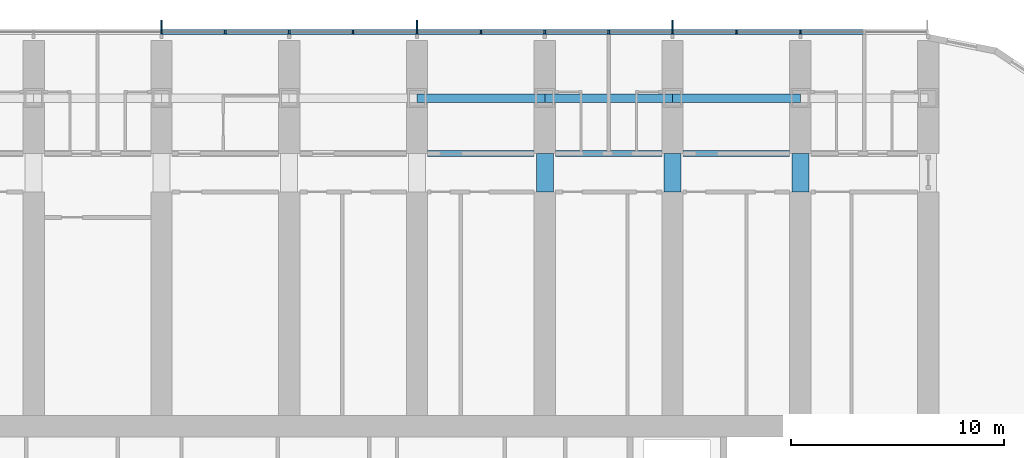
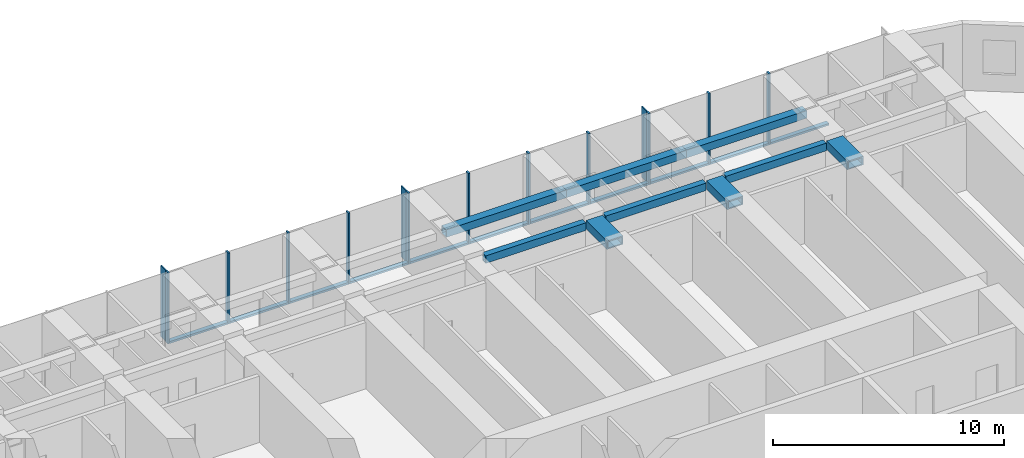
# One storey, part 5 of 23: 25 members, 9 beams, 1 element without a shape of its own.
"""IFC4 building model written with IfcOpenShell, lengths in metres."""

from ifc_helpers import new_model, si_unit, direction, frame, origin, origin_2d, place, context, subcontext, project, spatial, rectangle, hollow_rectangle, extrude, material, material_profile, profile_set, type_object, element, aggregate, save


model = new_model("IFC4")

# Units and contexts
model_context = context("Model", 3, precision=1e-05, world=origin(), true_north=direction((0.0, 1.0)))
body_context = subcontext(model_context, "Body", "Model", "MODEL_VIEW")
ifc_project = project(units=[si_unit("LENGTHUNIT", "METRE"), si_unit("AREAUNIT", "SQUARE_METRE"), si_unit("VOLUMEUNIT", "CUBIC_METRE"), si_unit("PLANEANGLEUNIT", "RADIAN"), si_unit("MASSUNIT", "GRAM", prefix="KILO")], contexts=[model_context])

# Site, building, storey
site_placement = place(None, origin())
site = spatial("IfcSite", under=ifc_project, at=site_placement, CompositionType="ELEMENT")
building_placement = place(site_placement, origin())
building = spatial("IfcBuilding", under=site, at=building_placement, Name="Orbita Commons", CompositionType="ELEMENT")
storey_placement = place(building_placement, frame((0.0, 0.0, 42.699951171875)))
storey = spatial("IfcBuildingStorey", under=building, at=storey_placement, Name="L10", CompositionType="ELEMENT", Elevation=42.699951171875)

# Curtain wall, members
ifc_material_1 = material(Name="Anodised aluminium frame, pale silver", Category="aluminium")
curtain_wall_type = type_object("IfcCurtainWallType", Name="Unitised curtain wall CW-T, vision and spandrel", PredefinedType="NOTDEFINED", material=ifc_material_1)
curtain_wall_placement = place(storey_placement, origin())
curtain_wall = element("IfcCurtainWall", 1, at=curtain_wall_placement, inside=storey, type_object=curtain_wall_type, Name="Curtain wall north L10", PredefinedType="NOTDEFINED")
ifc_material_2 = material(Name="Anodised aluminium, pale silver", Category="aluminium")
ifc_material_profile_1 = material_profile(ifc_material_2, rectangle(XDim=0.080078125, YDim=0.219970703125, at=origin_2d()), Name="AL 80x220")
ifc_profile_set_1 = profile_set([ifc_material_profile_1], Name="Anodised aluminium, pale silver")
member_type_1 = type_object("IfcMemberType", Name="Curtain wall mullion 80x220", PredefinedType="MULLION", material=ifc_profile_set_1)
member_1_placement = place(storey_placement, frame((66.0, 56.7099609375, -0.25), z_axis=(0.0, 0.0, 1.0), x_axis=(-1.0, 0.0, 0.0)))
member_1 = element("IfcMember", 2, at=member_1_placement, type_object=member_type_1, Name="Mullion 3 CW-L10-N", PredefinedType="MULLION", context=body_context, shape_type="SweptSolid", body=[
    extrude(rectangle(XDim=0.080078125, YDim=0.219970703125, at=origin_2d()), origin(), (0.0, 0.0, 1.0), 3.75),
])
member_2_placement = place(storey_placement, frame((63.0, 56.7099609375, -0.25), z_axis=(0.0, 0.0, 1.0), x_axis=(-1.0, 0.0, 0.0)))
member_2 = element("IfcMember", 3, at=member_2_placement, type_object=member_type_1, Name="Mullion 4 CW-L10-N", PredefinedType="MULLION", context=body_context, shape_type="SweptSolid", body=[
    extrude(rectangle(XDim=0.080078125, YDim=0.219970703125, at=origin_2d()), origin(), (0.0, 0.0, 1.0), 3.75),
])
member_3_placement = place(storey_placement, frame((60.0, 56.7099609375, -0.25), z_axis=(0.0, 0.0, 1.0), x_axis=(-1.0, 0.0, 0.0)))
member_3 = element("IfcMember", 4, at=member_3_placement, type_object=member_type_1, Name="Mullion 5 CW-L10-N", PredefinedType="MULLION", context=body_context, shape_type="SweptSolid", body=[
    extrude(rectangle(XDim=0.080078125, YDim=0.219970703125, at=origin_2d()), origin(), (0.0, 0.0, 1.0), 3.75),
])
member_4_placement = place(storey_placement, frame((57.0, 56.7099609375, -0.25), z_axis=(0.0, 0.0, 1.0), x_axis=(-1.0, 0.0, 0.0)))
member_4 = element("IfcMember", 5, at=member_4_placement, type_object=member_type_1, Name="Mullion 6 CW-L10-N", PredefinedType="MULLION", context=body_context, shape_type="SweptSolid", body=[
    extrude(rectangle(XDim=0.080078125, YDim=0.219970703125, at=origin_2d()), origin(), (0.0, 0.0, 1.0), 3.75),
])
member_5_placement = place(storey_placement, frame((54.0, 56.7099609375, -0.25), z_axis=(0.0, 0.0, 1.0), x_axis=(-1.0, 0.0, 0.0)))
member_5 = element("IfcMember", 6, at=member_5_placement, type_object=member_type_1, Name="Mullion 7 CW-L10-N", PredefinedType="MULLION", context=body_context, shape_type="SweptSolid", body=[
    extrude(rectangle(XDim=0.080078125, YDim=0.219970703125, at=origin_2d()), origin(), (0.0, 0.0, 1.0), 3.75),
])
member_6_placement = place(storey_placement, frame((51.0, 56.7099609375, -0.25), z_axis=(0.0, 0.0, 1.0), x_axis=(-1.0, 0.0, 0.0)))
member_6 = element("IfcMember", 7, at=member_6_placement, type_object=member_type_1, Name="Mullion 8 CW-L10-N", PredefinedType="MULLION", context=body_context, shape_type="SweptSolid", body=[
    extrude(rectangle(XDim=0.080078125, YDim=0.219970703125, at=origin_2d()), origin(), (0.0, 0.0, 1.0), 3.75),
])
member_7_placement = place(storey_placement, frame((48.0, 56.7099609375, -0.25), z_axis=(0.0, 0.0, 1.0), x_axis=(-1.0, 0.0, 0.0)))
member_7 = element("IfcMember", 8, at=member_7_placement, type_object=member_type_1, Name="Mullion 9 CW-L10-N", PredefinedType="MULLION", context=body_context, shape_type="SweptSolid", body=[
    extrude(rectangle(XDim=0.080078125, YDim=0.219970703125, at=origin_2d()), origin(), (0.0, 0.0, 1.0), 3.75),
])
member_8_placement = place(storey_placement, frame((45.0, 56.7099609375, -0.25), z_axis=(0.0, 0.0, 1.0), x_axis=(-1.0, 0.0, 0.0)))
member_8 = element("IfcMember", 9, at=member_8_placement, type_object=member_type_1, Name="Mullion 10 CW-L10-N", PredefinedType="MULLION", context=body_context, shape_type="SweptSolid", body=[
    extrude(rectangle(XDim=0.080078125, YDim=0.219970703125, at=origin_2d()), origin(), (0.0, 0.0, 1.0), 3.75),
])
member_9_placement = place(storey_placement, frame((42.0, 56.7099609375, -0.25), z_axis=(0.0, 0.0, 1.0), x_axis=(-1.0, 0.0, 0.0)))
member_9 = element("IfcMember", 10, at=member_9_placement, type_object=member_type_1, Name="Mullion 11 CW-L10-N", PredefinedType="MULLION", context=body_context, shape_type="SweptSolid", body=[
    extrude(rectangle(XDim=0.080078125, YDim=0.219970703125, at=origin_2d()), origin(), (0.0, 0.0, 1.0), 3.75),
])
member_10_placement = place(storey_placement, frame((39.0, 56.7099609375, -0.25), z_axis=(0.0, 0.0, 1.0), x_axis=(-1.0, 0.0, 0.0)))
member_10 = element("IfcMember", 11, at=member_10_placement, type_object=member_type_1, Name="Mullion 12 CW-L10-N", PredefinedType="MULLION", context=body_context, shape_type="SweptSolid", body=[
    extrude(rectangle(XDim=0.080078125, YDim=0.219970703125, at=origin_2d()), origin(), (0.0, 0.0, 1.0), 3.75),
])
member_11_placement = place(storey_placement, frame((36.0, 56.7099609375, -0.25), z_axis=(0.0, 0.0, 1.0), x_axis=(-1.0, 0.0, 0.0)))
member_11 = element("IfcMember", 12, at=member_11_placement, type_object=member_type_1, Name="Mullion 13 CW-L10-N", PredefinedType="MULLION", context=body_context, shape_type="SweptSolid", body=[
    extrude(rectangle(XDim=0.080078125, YDim=0.219970703125, at=origin_2d()), origin(), (0.0, 0.0, 1.0), 3.75),
])
ifc_material_3 = material(Name="Anodised aluminium, pale silver", Category="aluminium")
ifc_material_profile_2 = material_profile(ifc_material_3, rectangle(XDim=0.219970703125, YDim=0.10009765625, at=origin_2d()), Name="AL 220x100")
ifc_profile_set_2 = profile_set([ifc_material_profile_2], Name="Anodised aluminium, pale silver")
member_type_2 = type_object("IfcMemberType", Name="Curtain wall stack transom 220x100", PredefinedType="USERDEFINED", material=ifc_profile_set_2)
member_12_placement = place(storey_placement, frame((68.9599609375, 56.7099609375, -0.199951171875), z_axis=(-1.0, 0.0, 0.0), x_axis=(0.0, -1.0, 0.0)))
member_12 = element("IfcMember", 13, at=member_12_placement, type_object=member_type_2, Name="Transom 2.1 CW-L10-N", ObjectType="TRANSOM", PredefinedType="USERDEFINED", context=body_context, shape_type="SweptSolid", body=[
    extrude(rectangle(XDim=0.219970703125, YDim=0.10009765625, at=origin_2d()), origin(), (0.0, 0.0, 1.0), 2.919921875),
])
member_13_placement = place(storey_placement, frame((65.9599609375, 56.7099609375, -0.199951171875), z_axis=(-1.0, 0.0, 0.0), x_axis=(0.0, -1.0, 0.0)))
member_13 = element("IfcMember", 14, at=member_13_placement, type_object=member_type_2, Name="Transom 3.1 CW-L10-N", ObjectType="TRANSOM", PredefinedType="USERDEFINED", context=body_context, shape_type="SweptSolid", body=[
    extrude(rectangle(XDim=0.219970703125, YDim=0.10009765625, at=origin_2d()), origin(), (0.0, 0.0, 1.0), 2.919921875),
])
member_14_placement = place(storey_placement, frame((62.9599609375, 56.7099609375, -0.199951171875), z_axis=(-1.0, 0.0, 0.0), x_axis=(0.0, -1.0, 0.0)))
member_14 = element("IfcMember", 15, at=member_14_placement, type_object=member_type_2, Name="Transom 4.1 CW-L10-N", ObjectType="TRANSOM", PredefinedType="USERDEFINED", context=body_context, shape_type="SweptSolid", body=[
    extrude(rectangle(XDim=0.219970703125, YDim=0.10009765625, at=origin_2d()), origin(), (0.0, 0.0, 1.0), 2.919921875),
])
member_15_placement = place(storey_placement, frame((59.9599609375, 56.7099609375, -0.199951171875), z_axis=(-1.0, 0.0, 0.0), x_axis=(0.0, -1.0, 0.0)))
member_15 = element("IfcMember", 16, at=member_15_placement, type_object=member_type_2, Name="Transom 5.1 CW-L10-N", ObjectType="TRANSOM", PredefinedType="USERDEFINED", context=body_context, shape_type="SweptSolid", body=[
    extrude(rectangle(XDim=0.219970703125, YDim=0.10009765625, at=origin_2d()), origin(), (0.0, 0.0, 1.0), 2.919921875),
])
member_16_placement = place(storey_placement, frame((56.9599609375, 56.7099609375, -0.199951171875), z_axis=(-1.0, 0.0, 0.0), x_axis=(0.0, -1.0, 0.0)))
member_16 = element("IfcMember", 17, at=member_16_placement, type_object=member_type_2, Name="Transom 6.1 CW-L10-N", ObjectType="TRANSOM", PredefinedType="USERDEFINED", context=body_context, shape_type="SweptSolid", body=[
    extrude(rectangle(XDim=0.219970703125, YDim=0.10009765625, at=origin_2d()), origin(), (0.0, 0.0, 1.0), 2.919921875),
])
member_17_placement = place(storey_placement, frame((53.9599609375, 56.7099609375, -0.199951171875), z_axis=(-1.0, 0.0, 0.0), x_axis=(0.0, -1.0, 0.0)))
member_17 = element("IfcMember", 18, at=member_17_placement, type_object=member_type_2, Name="Transom 7.1 CW-L10-N", ObjectType="TRANSOM", PredefinedType="USERDEFINED", context=body_context, shape_type="SweptSolid", body=[
    extrude(rectangle(XDim=0.219970703125, YDim=0.10009765625, at=origin_2d()), origin(), (0.0, 0.0, 1.0), 2.919921875),
])
member_18_placement = place(storey_placement, frame((50.9599609375, 56.7099609375, -0.199951171875), z_axis=(-1.0, 0.0, 0.0), x_axis=(0.0, -1.0, 0.0)))
member_18 = element("IfcMember", 19, at=member_18_placement, type_object=member_type_2, Name="Transom 8.1 CW-L10-N", ObjectType="TRANSOM", PredefinedType="USERDEFINED", context=body_context, shape_type="SweptSolid", body=[
    extrude(rectangle(XDim=0.219970703125, YDim=0.10009765625, at=origin_2d()), origin(), (0.0, 0.0, 1.0), 2.919921875),
])
member_19_placement = place(storey_placement, frame((47.9599609375, 56.7099609375, -0.199951171875), z_axis=(-1.0, 0.0, 0.0), x_axis=(0.0, -1.0, 0.0)))
member_19 = element("IfcMember", 20, at=member_19_placement, type_object=member_type_2, Name="Transom 9.1 CW-L10-N", ObjectType="TRANSOM", PredefinedType="USERDEFINED", context=body_context, shape_type="SweptSolid", body=[
    extrude(rectangle(XDim=0.219970703125, YDim=0.10009765625, at=origin_2d()), origin(), (0.0, 0.0, 1.0), 2.919921875),
])
member_20_placement = place(storey_placement, frame((44.9599609375, 56.7099609375, -0.199951171875), z_axis=(-1.0, 0.0, 0.0), x_axis=(0.0, -1.0, 0.0)))
member_20 = element("IfcMember", 21, at=member_20_placement, type_object=member_type_2, Name="Transom 10.1 CW-L10-N", ObjectType="TRANSOM", PredefinedType="USERDEFINED", context=body_context, shape_type="SweptSolid", body=[
    extrude(rectangle(XDim=0.219970703125, YDim=0.10009765625, at=origin_2d()), origin(), (0.0, 0.0, 1.0), 2.919921875),
])
member_21_placement = place(storey_placement, frame((41.9599609375, 56.7099609375, -0.199951171875), z_axis=(-1.0, 0.0, 0.0), x_axis=(0.0, -1.0, 0.0)))
member_21 = element("IfcMember", 22, at=member_21_placement, type_object=member_type_2, Name="Transom 11.1 CW-L10-N", ObjectType="TRANSOM", PredefinedType="USERDEFINED", context=body_context, shape_type="SweptSolid", body=[
    extrude(rectangle(XDim=0.219970703125, YDim=0.10009765625, at=origin_2d()), origin(), (0.0, 0.0, 1.0), 2.919921875),
])
member_22_placement = place(storey_placement, frame((38.9599609375, 56.7099609375, -0.199951171875), z_axis=(-1.0, 0.0, 0.0), x_axis=(0.0, -1.0, 0.0)))
member_22 = element("IfcMember", 23, at=member_22_placement, type_object=member_type_2, Name="Transom 12.1 CW-L10-N", ObjectType="TRANSOM", PredefinedType="USERDEFINED", context=body_context, shape_type="SweptSolid", body=[
    extrude(rectangle(XDim=0.219970703125, YDim=0.10009765625, at=origin_2d()), origin(), (0.0, 0.0, 1.0), 2.919921875),
])

# Beams
ifc_material_4 = material(Name="Steel ASTM A572 Gr 50 welded plate", Category="steel")
ifc_material_profile_3 = material_profile(ifc_material_4, hollow_rectangle(XDim=0.300048828125, YDim=0.39990234375, WallThickness=0.0400390625, at=origin_2d()), Name="BOX 400x300x40")
ifc_profile_set_3 = profile_set([ifc_material_profile_3], Name="Steel ASTM A572 Gr 50 welded plate")
beam_type_1 = type_object("IfcBeamType", Name="Steel corridor link BOX 400x300x40", PredefinedType="BEAM", material=ifc_profile_set_3)
for number, where, z_axis, x_axis, name in (
    (24, (48.5, 51.0, 3.300048828125), (1.0, 0.0, 0.0), (0.0, 1.0, 0.0), "Corridor beam NB 9-10 L10"),
    (25, (54.5, 51.0, 3.300048828125), (1.0, 0.0, 0.0), (0.0, 1.0, 0.0), "Corridor beam NB 10-11 L10"),
    (26, (60.5, 51.0, 3.300048828125), (1.0, 0.0, 0.0), (0.0, 1.0, 0.0), "Corridor beam NB 11-12 L10"),
):
    element("IfcBeam", number, at=place(storey_placement, frame(where, z_axis=z_axis, x_axis=x_axis)), inside=storey, type_object=beam_type_1, Name=name, PredefinedType="BEAM", context=body_context, shape_type="SweptSolid", body=[
        extrude(hollow_rectangle(XDim=0.300048828125, YDim=0.39990234375, WallThickness=0.0400390625, at=origin_2d()), origin(), (0.0, 0.0, 1.0), 5.0),
    ])
ifc_material_5 = material(Name="Steel ASTM A572 Gr 50 welded plate", Category="steel")
ifc_material_profile_4 = material_profile(ifc_material_5, hollow_rectangle(XDim=0.800048828125, YDim=0.449951171875, WallThickness=0.06005859375, at=origin_2d()), Name="BOX 450x800x60")
ifc_profile_set_4 = profile_set([ifc_material_profile_4], Name="Steel ASTM A572 Gr 50 welded plate")
beam_type_2 = type_object("IfcBeamType", Name="Steel coupling link BOX 450x800x60", PredefinedType="LINTEL", material=ifc_profile_set_4)
for number, where, z_axis, x_axis, name in (
    (27, (54.0, 49.199951171875, 3.275146484375), (0.0, 1.0, 0.0), (-1.0, 0.0, 0.0), "Coupling beam 10 north L10"),
    (28, (60.0, 49.199951171875, 3.275146484375), (0.0, 1.0, 0.0), (-1.0, 0.0, 0.0), "Coupling beam 11 north L10"),
    (29, (66.0, 49.199951171875, 3.275146484375), (0.0, 1.0, 0.0), (-1.0, 0.0, 0.0), "Coupling beam 12 north L10"),
):
    element("IfcBeam", number, at=place(storey_placement, frame(where, z_axis=z_axis, x_axis=x_axis)), inside=storey, type_object=beam_type_2, Name=name, PredefinedType="LINTEL", context=body_context, shape_type="SweptSolid", body=[
        extrude(hollow_rectangle(XDim=0.800048828125, YDim=0.449951171875, WallThickness=0.06005859375, at=origin_2d()), origin(), (0.0, 0.0, 1.0), 1.800048828125),
    ])
ifc_material_6 = material(Name="Steel ASTM A572 Gr 50 welded plate", Category="steel")
ifc_material_profile_5 = material_profile(ifc_material_6, hollow_rectangle(XDim=0.39990234375, YDim=0.39990234375, WallThickness=0.0400390625, at=origin_2d()), Name="BOX 400x400x40")
ifc_profile_set_5 = profile_set([ifc_material_profile_5], Name="Steel ASTM A572 Gr 50 welded plate")
beam_type_3 = type_object("IfcBeamType", Name="Steel spandrel BOX 400x400x40", PredefinedType="SPANDREL", material=ifc_profile_set_5)
for number, where, z_axis, x_axis, name in (
    (30, (48.0, 53.60009765625, 3.300048828125), (1.0, 0.0, 0.0), (0.0, 1.0, 0.0), "Spandrel beam E 9-10 L10"),
    (31, (54.0, 53.60009765625, 3.300048828125), (1.0, 0.0, 0.0), (0.0, 1.0, 0.0), "Spandrel beam E 10-11 L10"),
    (32, (60.0, 53.60009765625, 3.300048828125), (1.0, 0.0, 0.0), (0.0, 1.0, 0.0), "Spandrel beam E 11-12 L10"),
):
    element("IfcBeam", number, at=place(storey_placement, frame(where, z_axis=z_axis, x_axis=x_axis)), inside=storey, type_object=beam_type_3, Name=name, PredefinedType="SPANDREL", context=body_context, shape_type="SweptSolid", body=[
        extrude(hollow_rectangle(XDim=0.39990234375, YDim=0.39990234375, WallThickness=0.0400390625, at=origin_2d()), origin(), (0.0, 0.0, 1.0), 6.0),
    ])

# Member
ifc_material_7 = material(Name="Anodised aluminium, pale silver", Category="aluminium")
ifc_material_profile_6 = material_profile(ifc_material_7, rectangle(XDim=0.06005859375, YDim=0.449951171875, at=origin_2d()), Name="FIN 60x450")
ifc_profile_set_6 = profile_set([ifc_material_profile_6], Name="Anodised aluminium, pale silver")
member_type_3 = type_object("IfcMemberType", Name="Vertical fin 60x450 pale aluminium", PredefinedType="USERDEFINED", material=ifc_profile_set_6)
member_23_placement = place(storey_placement, frame((60.0, 57.044921875, -0.25), z_axis=(0.0, 0.0, 1.0), x_axis=(-1.0, 0.0, 0.0)))
member_23 = element("IfcMember", 33, at=member_23_placement, type_object=member_type_3, Name="Fin 5 CW-L10-N", ObjectType="FIN", PredefinedType="USERDEFINED", context=body_context, shape_type="SweptSolid", body=[
    extrude(rectangle(XDim=0.06005859375, YDim=0.449951171875, at=origin_2d()), origin(), (0.0, 0.0, 1.0), 3.75),
])

member_24_placement = place(storey_placement, frame((48.0, 57.044921875, -0.25), z_axis=(0.0, 0.0, 1.0), x_axis=(-1.0, 0.0, 0.0)))
member_24 = element("IfcMember", 34, at=member_24_placement, type_object=member_type_3, Name="Fin 9 CW-L10-N", ObjectType="FIN", PredefinedType="USERDEFINED", context=body_context, shape_type="SweptSolid", body=[
    extrude(rectangle(XDim=0.06005859375, YDim=0.449951171875, at=origin_2d()), origin(), (0.0, 0.0, 1.0), 3.75),
])

member_25_placement = place(storey_placement, frame((36.0, 57.044921875, -0.25), z_axis=(0.0, 0.0, 1.0), x_axis=(-1.0, 0.0, 0.0)))
member_25 = element("IfcMember", 35, at=member_25_placement, type_object=member_type_3, Name="Fin 13 CW-L10-N", ObjectType="FIN", PredefinedType="USERDEFINED", context=body_context, shape_type="SweptSolid", body=[
    extrude(rectangle(XDim=0.06005859375, YDim=0.449951171875, at=origin_2d()), origin(), (0.0, 0.0, 1.0), 3.75),
])

aggregate(curtain_wall, [member_1, member_2, member_3, member_23, member_4, member_5, member_6, member_7, member_24, member_8, member_9, member_10, member_11, member_25, member_12, member_13, member_14, member_15, member_16, member_17, member_18, member_19, member_20, member_21, member_22])

save(model, "model.ifc")
